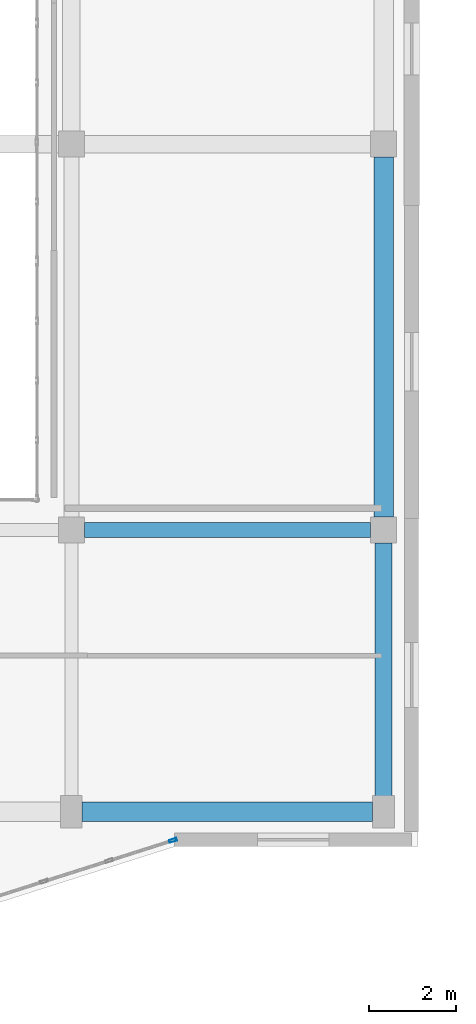
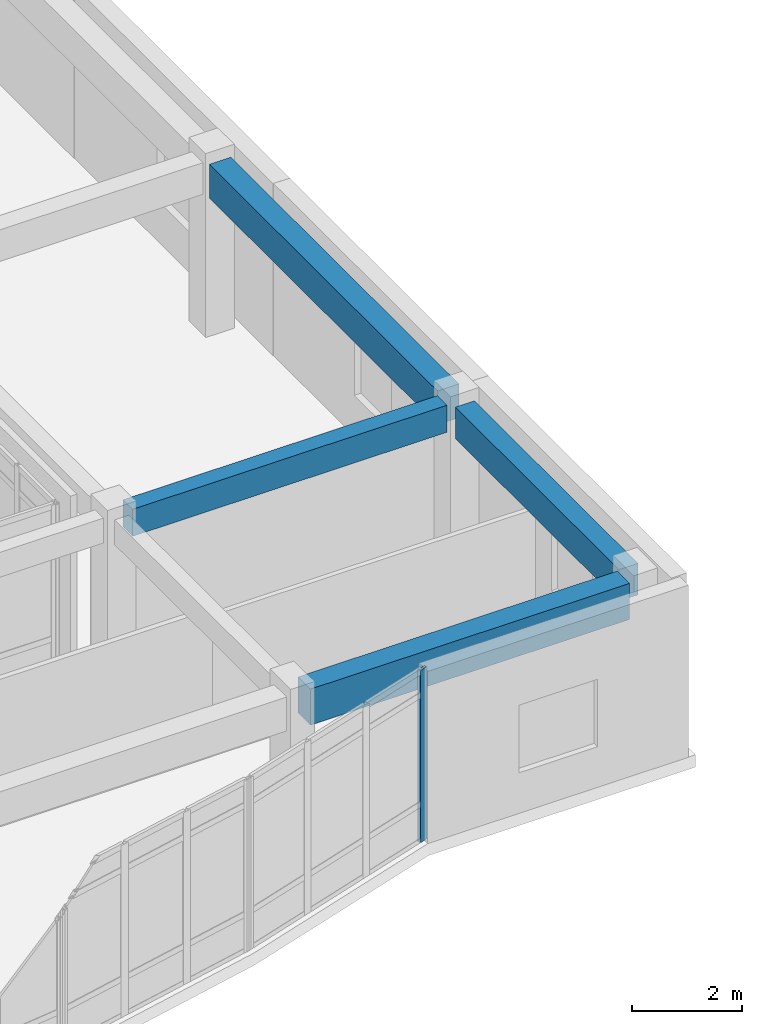
# One storey, part 109 of 146: 4 beams, 1 member, 1 element without a shape of its own.
"""IFC4 building model written with IfcOpenShell, lengths in metres."""

from ifc_helpers import new_model, si_unit, direction, frame, origin, origin_2d, place, context, subcontext, project, spatial, rectangle, hollow_rectangle, extrude, material, layer, layer_set, material_profile, profile_set, type_object, element, aggregate, save


model = new_model("IFC4")

# Units and contexts
model_context = context("Model", 3, precision=1e-05, world=origin(), true_north=direction((0.0, 1.0)))
body_context = subcontext(model_context, "Body", "Model", "MODEL_VIEW")
ifc_project = project(units=[si_unit("LENGTHUNIT", "METRE"), si_unit("AREAUNIT", "SQUARE_METRE"), si_unit("VOLUMEUNIT", "CUBIC_METRE"), si_unit("PLANEANGLEUNIT", "RADIAN"), si_unit("MASSUNIT", "GRAM", prefix="KILO")], contexts=[model_context])

# Site, building, storey
site_placement = place(None, origin())
site = spatial("IfcSite", under=ifc_project, at=site_placement, CompositionType="ELEMENT")
building_placement = place(site_placement, origin())
building = spatial("IfcBuilding", under=site, at=building_placement, Name="Valcora Specialist Clinic", CompositionType="ELEMENT")
storey_placement = place(building_placement, frame((0.0, 0.0, 9.52001953125)))
storey = spatial("IfcBuildingStorey", under=building, at=storey_placement, Name="L02", CompositionType="ELEMENT", Elevation=9.52001953125)

# Beams
ifc_material_1 = material(Name="Concrete C40/50", Category="concrete")
ifc_material_profile_1 = material_profile(ifc_material_1, rectangle(XDim=0.35009765625, YDim=0.60009765625, at=origin_2d()), Name="RC-BM-350X600")
ifc_profile_set_1 = profile_set([ifc_material_profile_1], Name="Concrete C40/50")
beam_type_1 = type_object("IfcBeamType", Name="TY-BM-RC350X600", PredefinedType="BEAM", material=ifc_profile_set_1)
beam_1_placement = place(storey_placement, frame((126.300048828125, 81.300048828125, 3.52001953125), z_axis=(1.0, 0.0, 0.0), x_axis=(0.0, 1.0, 0.0)))
element("IfcBeam", 1, at=beam_1_placement, inside=storey, type_object=beam_type_1, Name="Beam BM-L02-0710", PredefinedType="BEAM", context=body_context, shape_type="SweptSolid", body=[
    extrude(rectangle(XDim=0.35009765625, YDim=0.60009765625, at=origin_2d()), origin(), (0.0, 0.0, 1.0), 6.599853515625),
])
ifc_material_profile_2 = material_profile(ifc_material_1, rectangle(XDim=0.39990234375, YDim=0.699951171875, at=origin_2d()), Name="RC-BM-400X700")
ifc_profile_set_2 = profile_set([ifc_material_profile_2], Name="Concrete C40/50")
beam_type_2 = type_object("IfcBeamType", Name="TY-BM-RC400X700", PredefinedType="BEAM", material=ifc_profile_set_2)
beam_2_placement = place(storey_placement, frame((133.199951171875, 75.050048828125, 3.469970703125), z_axis=(0.0, 1.0, 0.0), x_axis=(-1.0, 0.0, 0.0)))
element("IfcBeam", 2, at=beam_2_placement, inside=storey, type_object=beam_type_2, Name="Beam BM-L02-0764", PredefinedType="BEAM", context=body_context, shape_type="SweptSolid", body=[
    extrude(rectangle(XDim=0.39990234375, YDim=0.699951171875, at=origin_2d()), origin(), (0.0, 0.0, 1.0), 5.949951171875),
])
ifc_material_profile_3 = material_profile(ifc_material_1, rectangle(XDim=0.449951171875, YDim=0.75, at=origin_2d()), Name="RC-BM-450X750")
ifc_profile_set_3 = profile_set([ifc_material_profile_3], Name="Concrete C40/50")
beam_type_3 = type_object("IfcBeamType", Name="TY-BM-RC450X750", PredefinedType="BEAM", material=ifc_profile_set_3)
beam_3_placement = place(storey_placement, frame((133.199951171875, 81.60009765625, 3.445068359375), z_axis=(0.0, 1.0, 0.0), x_axis=(-1.0, 0.0, 0.0)))
element("IfcBeam", 3, at=beam_3_placement, inside=storey, type_object=beam_type_3, Name="Beam BM-L02-0765", PredefinedType="BEAM", context=body_context, shape_type="SweptSolid", body=[
    extrude(rectangle(XDim=0.449951171875, YDim=0.75, at=origin_2d()), origin(), (0.0, 0.0, 1.0), 8.2998046875),
])
ifc_material_profile_4 = material_profile(ifc_material_1, rectangle(XDim=0.449951171875, YDim=0.800048828125, at=origin_2d()), Name="RC-BM-450X800")
ifc_profile_set_4 = profile_set([ifc_material_profile_4], Name="Concrete C40/50")
beam_type_4 = type_object("IfcBeamType", Name="TY-BM-RC450X800", PredefinedType="BEAM", material=ifc_profile_set_4)
beam_4_placement = place(storey_placement, frame((126.25, 74.800048828125, 3.419921875), z_axis=(1.0, 0.0, 0.0), x_axis=(0.0, 1.0, 0.0)))
element("IfcBeam", 4, at=beam_4_placement, inside=storey, type_object=beam_type_4, Name="Beam BM-L02-0702", PredefinedType="BEAM", context=body_context, shape_type="SweptSolid", body=[
    extrude(rectangle(XDim=0.449951171875, YDim=0.800048828125, at=origin_2d()), origin(), (0.0, 0.0, 1.0), 6.699951171875),
])

# Curtain wall, member
ifc_material_2 = material(Name="Anodized Bronze Aluminium 6063-T6", Category="aluminium")
ifc_layer = layer(ifc_material_2, 0.175048828125)
ifc_layer_set = layer_set([ifc_layer], Name="Anodized Bronze Aluminium 6063-T6")
curtain_wall_type = type_object("IfcCurtainWallType", Name="TY-CW-ARC40", PredefinedType="NOTDEFINED", material=ifc_layer_set)
curtain_wall_placement = place(storey_placement, origin())
curtain_wall = element("IfcCurtainWall", 5, at=curtain_wall_placement, inside=storey, type_object=curtain_wall_type, Name="Curtain wall CW-L02-085", PredefinedType="NOTDEFINED")
ifc_material_profile_5 = material_profile(ifc_material_2, hollow_rectangle(XDim=0.06494140625, YDim=0.175048828125, WallThickness=0.00390625, at=origin_2d()), Name="AL-MUL-65X175")
ifc_profile_set_5 = profile_set([ifc_material_profile_5], Name="Anodized Bronze Aluminium 6063-T6")
member_type = type_object("IfcMemberType", Name="TY-CWM-65X175", PredefinedType="MULLION", material=ifc_profile_set_5)
member_placement = place(storey_placement, frame((128.345703125, 74.14013671875, 0.0), z_axis=(0.0, 0.0, 1.0), x_axis=(0.303233270958, -0.952916356972, 0.0)))
member = element("IfcMember", 6, at=member_placement, type_object=member_type, Name="CW-ARC-40 mullion 1", PredefinedType="MULLION", context=body_context, shape_type="SweptSolid", body=[
    extrude(hollow_rectangle(XDim=0.06494140625, YDim=0.175048828125, WallThickness=0.00390625, at=origin_2d()), origin(), (0.0, 0.0, 1.0), 3.820068359375),
])
aggregate(curtain_wall, [member])

save(model, "model.ifc")
